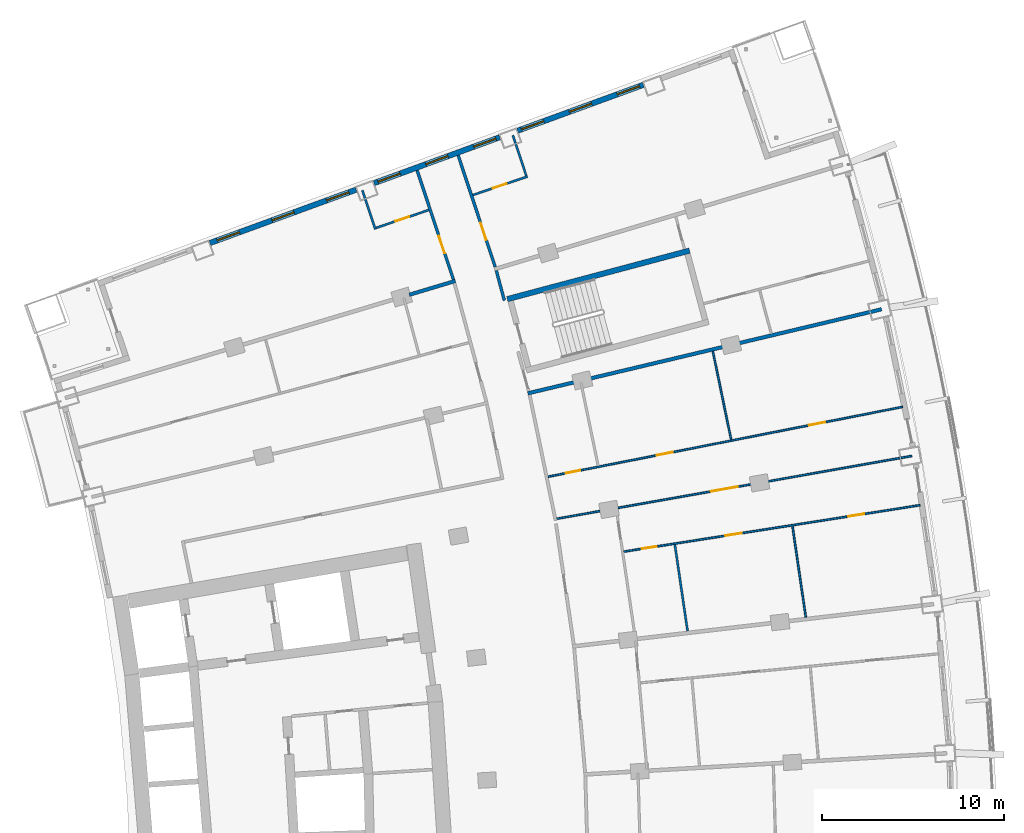
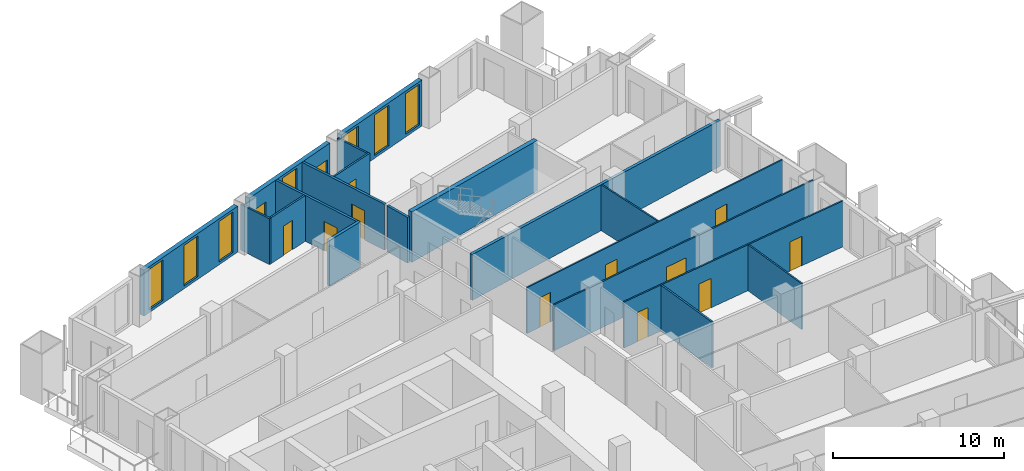
# One storey, part 20 of 25: 19 walls, 11 doors, 9 windows, 20 openings.
"""IFC4 building model written with IfcOpenShell, lengths in metres."""

from ifc_helpers import new_model, si_unit, direction, frame, frame_2d, origin, place, context, subcontext, project, spatial, rectangle, extrude, material, layer, layer_set, type_object, element, fill, save


model = new_model("IFC4")

# Units and contexts
model_context = context("Model", 3, precision=1e-05, world=origin(), true_north=direction((0.0, 1.0)))
body_context = subcontext(model_context, "Body", "Model", "MODEL_VIEW")
ifc_project = project(units=[si_unit("LENGTHUNIT", "METRE"), si_unit("AREAUNIT", "SQUARE_METRE"), si_unit("VOLUMEUNIT", "CUBIC_METRE"), si_unit("PLANEANGLEUNIT", "RADIAN"), si_unit("MASSUNIT", "GRAM", prefix="KILO")], contexts=[model_context])

# Site, building, storey
site_placement = place(None, origin())
site = spatial("IfcSite", under=ifc_project, at=site_placement, CompositionType="ELEMENT")
building_placement = place(site_placement, origin())
building = spatial("IfcBuilding", under=site, at=building_placement, Name="Alderwake Tower", CompositionType="ELEMENT")
storey_placement = place(building_placement, frame((0.0, 0.0, 107.60009765625)))
storey = spatial("IfcBuildingStorey", under=building, at=storey_placement, Name="L26", CompositionType="ELEMENT", Elevation=107.60009765625)

# Wall
ifc_material_1 = material(Name="Concrete C70/85", Category="concrete")
ifc_layer_1 = layer(ifc_material_1, 0.300048828125)
ifc_layer_set_1 = layer_set([ifc_layer_1], Name="Core wall stair enclosure 300 C70-85")
wall_type_1 = type_object("IfcWallType", Name="Core wall stair enclosure 300 C70-85", PredefinedType="SHEAR", material=ifc_layer_set_1)
wall_1_placement = place(storey_placement, frame((36.71142578125, 94.182373046875, 0.0), z_axis=(0.0, 0.0, 1.0), x_axis=(0.966309214305, 0.257383958996, 0.0)))
element("IfcWall", 1, at=wall_1_placement, inside=storey, type_object=wall_type_1, Name="Core wall CW.082", PredefinedType="SHEAR", context=body_context, shape_type="SweptSolid", body=[
    extrude(rectangle(XDim=10.360107421875, YDim=0.300048828125, at=frame_2d((5.18017578125, 0.0))), origin(), (0.0, 0.0, 1.0), 3.599853515625),
])

# Wall, opening, door
ifc_material_2 = material(Name="Gypsum board on metal studs, rated")
ifc_layer_2 = layer(ifc_material_2, 0.159912109375)
ifc_layer_set_2 = layer_set([ifc_layer_2], Name="Corridor wall 160")
wall_type_2 = type_object("IfcWallType", Name="Corridor wall 160", PredefinedType="PARTITIONING", material=ifc_layer_set_2)
wall_2_placement = place(storey_placement, frame((33.75146484375, 95.2548828125, 0.0), z_axis=(0.0, 0.0, 1.0), x_axis=(-0.315406156735, 0.948956772616, 0.0)))
wall_2 = element("IfcWall", 2, at=wall_2_placement, inside=storey, type_object=wall_type_2, Name="WL/L26/W21", PredefinedType="PARTITIONING", context=body_context, shape_type="SweptSolid", body=[
    extrude(rectangle(XDim=6.330078125, YDim=0.159912109375, at=frame_2d((3.1650390625, 0.0))), origin(), (0.0, 0.0, 1.0), 3.27978515625),
])
opening_1_placement = place(wall_2_placement, frame((1.529052734375, 0.0, 0.0)))
opening_1 = element("IfcOpeningElement", 3, at=opening_1_placement, cuts=wall_2, Name="Opening R07-U13.1", PredefinedType="OPENING", context=body_context, shape_type="SweptSolid", body=[
    extrude(rectangle(XDim=1.0, YDim=2.10009765625, at=frame_2d((0.5, 1.050048828125))), frame((0.0, 0.08984375, 0.0), z_axis=(0.0, -1.0, 0.0), x_axis=(1.0, 0.0, 0.0)), (0.0, 0.0, 1.0), 0.179931640625),
])
ifc_material_3 = material(Name="Solid timber leaf in steel frame", Category="steel")
door_type_1 = type_object("IfcDoorType", Name="Flat entrance door 1000 fire-rated", OperationType="SINGLE_SWING_LEFT", PredefinedType="DOOR", material=ifc_material_3)
door_1_placement = place(opening_1_placement, origin())
door_1 = element("IfcDoor", 4, at=door_1_placement, inside=storey, type_object=door_type_1, Name="DR/L26/U13.1", OperationType="SINGLE_SWING_LEFT", OverallHeight=2.10009765625, OverallWidth=1.0, PredefinedType="DOOR", context=body_context, shape_type="SweptSolid", body=[
    extrude(rectangle(XDim=1.0, YDim=2.10009765625, at=frame_2d((0.5, 1.050048828125))), frame((0.0, 0.02490234375, 0.0), z_axis=(0.0, -1.0, 0.0), x_axis=(1.0, 0.0, 0.0)), (0.0, 0.0, 1.0), 0.050048828125),
])
fill(opening_1, door_1)

wall_3_placement = place(storey_placement, frame((34.010986328125, 102.083984375, 0.0), z_axis=(0.0, 0.0, 1.0), x_axis=(0.315140606423, -0.949044992708, 0.0)))
wall_3 = element("IfcWall", 5, at=wall_3_placement, inside=storey, type_object=wall_type_2, Name="WL/L26/W28", PredefinedType="PARTITIONING", context=body_context, shape_type="SweptSolid", body=[
    extrude(rectangle(XDim=6.46875, YDim=0.159912109375, at=frame_2d((3.234375, 0.0))), origin(), (0.0, 0.0, 1.0), 3.27978515625),
])
opening_2_placement = place(wall_3_placement, frame((3.897705078125, 0.0, 0.0)))
opening_2 = element("IfcOpeningElement", 6, at=opening_2_placement, cuts=wall_3, Name="Opening R07-U04.1", PredefinedType="OPENING", context=body_context, shape_type="SweptSolid", body=[
    extrude(rectangle(XDim=1.0, YDim=2.10009765625, at=frame_2d((0.5, 1.050048828125))), frame((0.0, 0.08984375, 0.0), z_axis=(0.0, -1.0, 0.0), x_axis=(1.0, 0.0, 0.0)), (0.0, 0.0, 1.0), 0.179931640625),
])
door_2_placement = place(opening_2_placement, origin())
door_2 = element("IfcDoor", 7, at=door_2_placement, inside=storey, type_object=door_type_1, Name="DR/L26/U04.1", OperationType="SINGLE_SWING_LEFT", OverallHeight=2.10009765625, OverallWidth=1.0, PredefinedType="DOOR", context=body_context, shape_type="SweptSolid", body=[
    extrude(rectangle(XDim=1.0, YDim=2.10009765625, at=frame_2d((0.5, 1.050048828125))), frame((0.0, 0.02490234375, 0.0), z_axis=(0.0, -1.0, 0.0), x_axis=(1.0, 0.0, 0.0)), (0.0, 0.0, 1.0), 0.050048828125),
])
fill(opening_2, door_2)

# Wall
wall_4_placement = place(storey_placement, frame((36.549072265625, 94.110107421875, 0.0), z_axis=(0.0, 0.0, 1.0), x_axis=(-0.259813977097, 0.965658685719, 0.0)))
element("IfcWall", 8, at=wall_4_placement, inside=storey, type_object=wall_type_2, Name="WL/L26/W31", PredefinedType="PARTITIONING", context=body_context, shape_type="SweptSolid", body=[
    extrude(rectangle(XDim=1.70166015625, YDim=0.159912109375, at=frame_2d((0.850830078125, 0.0))), origin(), (0.0, 0.0, 1.0), 3.27978515625),
])

# Wall, openings, windows
ifc_material_4 = material(Name="Bronze metal cladding on lightweight framing")
ifc_layer_3 = layer(ifc_material_4, 0.300048828125)
ifc_layer_set_3 = layer_set([ifc_layer_3], Name="External wall EW2 bronze metal cladding")
wall_type_3 = type_object("IfcWallType", Name="External wall EW2 bronze metal cladding", PredefinedType="SOLIDWALL", material=ifc_layer_set_3)
wall_5_placement = place(storey_placement, frame((44.1845703125, 105.958251953125, 0.0), z_axis=(0.0, 0.0, 1.0), x_axis=(-0.939378390818, -0.342882252187, 0.0)))
wall_5 = element("IfcWall", 9, at=wall_5_placement, inside=storey, type_object=wall_type_3, Name="External wall 26", PredefinedType="SOLIDWALL", context=body_context, shape_type="SweptSolid", body=[
    extrude(rectangle(XDim=7.345947265625, YDim=0.300048828125, at=frame_2d((3.6728515625, 0.0))), origin(), (0.0, 0.0, 1.0), 3.27978515625),
])
opening_3_placement = place(wall_5_placement, frame((0.22314453125, 0.0, 0.199951171875)))
opening_3 = element("IfcOpeningElement", 10, at=opening_3_placement, cuts=wall_5, Name="Opening W1", PredefinedType="OPENING", context=body_context, shape_type="SweptSolid", body=[
    extrude(rectangle(XDim=1.300048828125, YDim=2.89990234375, at=frame_2d((0.64990234375, 1.449951171875))), frame((0.0, 0.159912109375, 0.0), z_axis=(0.0, -1.0, 0.0), x_axis=(1.0, 0.0, 0.0)), (0.0, 0.0, 1.0), 0.320068359375),
])
opening_4_placement = place(wall_5_placement, frame((3.023193359375, 0.0, 0.199951171875)))
opening_4 = element("IfcOpeningElement", 11, at=opening_4_placement, cuts=wall_5, Name="Opening W1", PredefinedType="OPENING", context=body_context, shape_type="SweptSolid", body=[
    extrude(rectangle(XDim=1.300048828125, YDim=2.89990234375, at=frame_2d((0.64990234375, 1.449951171875))), frame((0.0, 0.159912109375, 0.0), z_axis=(0.0, -1.0, 0.0), x_axis=(1.0, 0.0, 0.0)), (0.0, 0.0, 1.0), 0.320068359375),
])
opening_5_placement = place(wall_5_placement, frame((5.8232421875, 0.0, 0.199951171875)))
opening_5 = element("IfcOpeningElement", 12, at=opening_5_placement, cuts=wall_5, Name="Opening W1", PredefinedType="OPENING", context=body_context, shape_type="SweptSolid", body=[
    extrude(rectangle(XDim=1.300048828125, YDim=2.89990234375, at=frame_2d((0.64990234375, 1.449951171875))), frame((0.0, 0.159912109375, 0.0), z_axis=(0.0, -1.0, 0.0), x_axis=(1.0, 0.0, 0.0)), (0.0, 0.0, 1.0), 0.320068359375),
])
ifc_material_5 = material(Name="Bronze tinted glass in aluminium frame", Category="aluminium")
window_type_1 = type_object("IfcWindowType", Name="Window W1 tall fixed and vent", PartitioningType="DOUBLE_PANEL_VERTICAL", PredefinedType="WINDOW", material=ifc_material_5)
window_1_placement = place(opening_3_placement, origin())
window_1 = element("IfcWindow", 13, at=window_1_placement, inside=storey, type_object=window_type_1, Name="Window W1 tall fixed and vent", OverallHeight=2.89990234375, OverallWidth=1.300048828125, PartitioningType="DOUBLE_PANEL_VERTICAL", PredefinedType="WINDOW", context=body_context, shape_type="SweptSolid", body=[
    extrude(rectangle(XDim=1.300048828125, YDim=2.89990234375, at=frame_2d((0.64990234375, 1.449951171875))), frame((0.0, 0.030029296875, 0.0), z_axis=(0.0, -1.0, 0.0), x_axis=(1.0, 0.0, 0.0)), (0.0, 0.0, 1.0), 0.06005859375),
])
fill(opening_3, window_1)
window_2_placement = place(opening_4_placement, origin())
window_2 = element("IfcWindow", 14, at=window_2_placement, inside=storey, type_object=window_type_1, Name="Window W1 tall fixed and vent", OverallHeight=2.89990234375, OverallWidth=1.300048828125, PartitioningType="DOUBLE_PANEL_VERTICAL", PredefinedType="WINDOW", context=body_context, shape_type="SweptSolid", body=[
    extrude(rectangle(XDim=1.300048828125, YDim=2.89990234375, at=frame_2d((0.64990234375, 1.449951171875))), frame((0.0, 0.030029296875, 0.0), z_axis=(0.0, -1.0, 0.0), x_axis=(1.0, 0.0, 0.0)), (0.0, 0.0, 1.0), 0.06005859375),
])
fill(opening_4, window_2)
window_3_placement = place(opening_5_placement, origin())
window_3 = element("IfcWindow", 15, at=window_3_placement, inside=storey, type_object=window_type_1, Name="Window W1 tall fixed and vent", OverallHeight=2.89990234375, OverallWidth=1.300048828125, PartitioningType="DOUBLE_PANEL_VERTICAL", PredefinedType="WINDOW", context=body_context, shape_type="SweptSolid", body=[
    extrude(rectangle(XDim=1.300048828125, YDim=2.89990234375, at=frame_2d((0.64990234375, 1.449951171875))), frame((0.0, 0.030029296875, 0.0), z_axis=(0.0, -1.0, 0.0), x_axis=(1.0, 0.0, 0.0)), (0.0, 0.0, 1.0), 0.06005859375),
])
fill(opening_5, window_3)

wall_6_placement = place(storey_placement, frame((36.293701171875, 103.077880859375, 0.0), z_axis=(0.0, 0.0, 1.0), x_axis=(-0.939378390818, -0.342882252187, 0.0)))
wall_6 = element("IfcWall", 16, at=wall_6_placement, inside=storey, type_object=wall_type_3, Name="External wall 27", PredefinedType="SOLIDWALL", context=body_context, shape_type="SweptSolid", body=[
    extrude(rectangle(XDim=7.345947265625, YDim=0.300048828125, at=frame_2d((3.6728515625, 0.0))), origin(), (0.0, 0.0, 1.0), 3.27978515625),
])
opening_6_placement = place(wall_6_placement, frame((0.222900390625, 0.0, 1.0)))
opening_6 = element("IfcOpeningElement", 17, at=opening_6_placement, cuts=wall_6, Name="Opening W2", PredefinedType="OPENING", context=body_context, shape_type="SweptSolid", body=[
    extrude(rectangle(XDim=1.300048828125, YDim=1.199951171875, at=frame_2d((0.64990234375, 0.60009765625))), frame((0.0, 0.159912109375, 0.0), z_axis=(0.0, -1.0, 0.0), x_axis=(1.0, 0.0, 0.0)), (0.0, 0.0, 1.0), 0.320068359375),
])
opening_7_placement = place(wall_6_placement, frame((3.02294921875, 0.0, 0.199951171875)))
opening_7 = element("IfcOpeningElement", 18, at=opening_7_placement, cuts=wall_6, Name="Opening W1", PredefinedType="OPENING", context=body_context, shape_type="SweptSolid", body=[
    extrude(rectangle(XDim=1.300048828125, YDim=2.89990234375, at=frame_2d((0.64990234375, 1.449951171875))), frame((0.0, 0.159912109375, 0.0), z_axis=(0.0, -1.0, 0.0), x_axis=(1.0, 0.0, 0.0)), (0.0, 0.0, 1.0), 0.320068359375),
])
opening_8_placement = place(wall_6_placement, frame((5.822998046875, 0.0, 1.0)))
opening_8 = element("IfcOpeningElement", 19, at=opening_8_placement, cuts=wall_6, Name="Opening W2", PredefinedType="OPENING", context=body_context, shape_type="SweptSolid", body=[
    extrude(rectangle(XDim=1.300048828125, YDim=1.199951171875, at=frame_2d((0.64990234375, 0.60009765625))), frame((0.0, 0.159912109375, 0.0), z_axis=(0.0, -1.0, 0.0), x_axis=(1.0, 0.0, 0.0)), (0.0, 0.0, 1.0), 0.320068359375),
])
window_4_placement = place(opening_7_placement, origin())
window_4 = element("IfcWindow", 20, at=window_4_placement, inside=storey, type_object=window_type_1, Name="Window W1 tall fixed and vent", OverallHeight=2.89990234375, OverallWidth=1.300048828125, PartitioningType="DOUBLE_PANEL_VERTICAL", PredefinedType="WINDOW", context=body_context, shape_type="SweptSolid", body=[
    extrude(rectangle(XDim=1.300048828125, YDim=2.89990234375, at=frame_2d((0.64990234375, 1.449951171875))), frame((0.0, 0.030029296875, 0.0), z_axis=(0.0, -1.0, 0.0), x_axis=(1.0, 0.0, 0.0)), (0.0, 0.0, 1.0), 0.06005859375),
])
fill(opening_7, window_4)
ifc_material_6 = material(Name="Bronze tinted glass in aluminium frame", Category="aluminium")
window_type_2 = type_object("IfcWindowType", Name="Window W2 kitchen and bath", PartitioningType="SINGLE_PANEL", PredefinedType="WINDOW", material=ifc_material_6)
window_5_placement = place(opening_6_placement, origin())
window_5 = element("IfcWindow", 21, at=window_5_placement, inside=storey, type_object=window_type_2, Name="Window W2 kitchen and bath", OverallHeight=1.199951171875, OverallWidth=1.300048828125, PartitioningType="SINGLE_PANEL", PredefinedType="WINDOW", context=body_context, shape_type="SweptSolid", body=[
    extrude(rectangle(XDim=1.300048828125, YDim=1.199951171875, at=frame_2d((0.64990234375, 0.60009765625))), frame((0.0, 0.030029296875, 0.0), z_axis=(0.0, -1.0, 0.0), x_axis=(1.0, 0.0, 0.0)), (0.0, 0.0, 1.0), 0.06005859375),
])
fill(opening_6, window_5)
window_6_placement = place(opening_8_placement, origin())
window_6 = element("IfcWindow", 22, at=window_6_placement, inside=storey, type_object=window_type_2, Name="Window W2 kitchen and bath", OverallHeight=1.199951171875, OverallWidth=1.300048828125, PartitioningType="SINGLE_PANEL", PredefinedType="WINDOW", context=body_context, shape_type="SweptSolid", body=[
    extrude(rectangle(XDim=1.300048828125, YDim=1.199951171875, at=frame_2d((0.64990234375, 0.60009765625))), frame((0.0, 0.030029296875, 0.0), z_axis=(0.0, -1.0, 0.0), x_axis=(1.0, 0.0, 0.0)), (0.0, 0.0, 1.0), 0.06005859375),
])
fill(opening_8, window_6)

wall_7_placement = place(storey_placement, frame((28.402587890625, 100.197509765625, 0.0), z_axis=(0.0, 0.0, 1.0), x_axis=(-0.939364770023, -0.342919566137, 0.0)))
wall_7 = element("IfcWall", 23, at=wall_7_placement, inside=storey, type_object=wall_type_3, Name="External wall 28", PredefinedType="SOLIDWALL", context=body_context, shape_type="SweptSolid", body=[
    extrude(rectangle(XDim=8.54541015625, YDim=0.300048828125, at=frame_2d((4.272705078125, 0.0))), origin(), (0.0, 0.0, 1.0), 3.27978515625),
])
opening_9_placement = place(wall_7_placement, frame((0.4228515625, 0.0, 0.199951171875)))
opening_9 = element("IfcOpeningElement", 24, at=opening_9_placement, cuts=wall_7, Name="Opening W1", PredefinedType="OPENING", context=body_context, shape_type="SweptSolid", body=[
    extrude(rectangle(XDim=1.300048828125, YDim=2.89990234375, at=frame_2d((0.64990234375, 1.449951171875))), frame((0.0, 0.159912109375, 0.0), z_axis=(0.0, -1.0, 0.0), x_axis=(1.0, 0.0, 0.0)), (0.0, 0.0, 1.0), 0.320068359375),
])
opening_10_placement = place(wall_7_placement, frame((3.622802734375, 0.0, 0.199951171875)))
opening_10 = element("IfcOpeningElement", 25, at=opening_10_placement, cuts=wall_7, Name="Opening W1", PredefinedType="OPENING", context=body_context, shape_type="SweptSolid", body=[
    extrude(rectangle(XDim=1.300048828125, YDim=2.89990234375, at=frame_2d((0.64990234375, 1.449951171875))), frame((0.0, 0.159912109375, 0.0), z_axis=(0.0, -1.0, 0.0), x_axis=(1.0, 0.0, 0.0)), (0.0, 0.0, 1.0), 0.320068359375),
])
opening_11_placement = place(wall_7_placement, frame((6.822998046875, 0.0, 0.199951171875)))
opening_11 = element("IfcOpeningElement", 26, at=opening_11_placement, cuts=wall_7, Name="Opening W1", PredefinedType="OPENING", context=body_context, shape_type="SweptSolid", body=[
    extrude(rectangle(XDim=1.300048828125, YDim=2.89990234375, at=frame_2d((0.64990234375, 1.449951171875))), frame((0.0, 0.159912109375, 0.0), z_axis=(0.0, -1.0, 0.0), x_axis=(1.0, 0.0, 0.0)), (0.0, 0.0, 1.0), 0.320068359375),
])
window_7_placement = place(opening_9_placement, origin())
window_7 = element("IfcWindow", 27, at=window_7_placement, inside=storey, type_object=window_type_1, Name="Window W1 tall fixed and vent", OverallHeight=2.89990234375, OverallWidth=1.300048828125, PartitioningType="DOUBLE_PANEL_VERTICAL", PredefinedType="WINDOW", context=body_context, shape_type="SweptSolid", body=[
    extrude(rectangle(XDim=1.300048828125, YDim=2.89990234375, at=frame_2d((0.64990234375, 1.449951171875))), frame((0.0, 0.030029296875, 0.0), z_axis=(0.0, -1.0, 0.0), x_axis=(1.0, 0.0, 0.0)), (0.0, 0.0, 1.0), 0.06005859375),
])
fill(opening_9, window_7)
window_8_placement = place(opening_10_placement, origin())
window_8 = element("IfcWindow", 28, at=window_8_placement, inside=storey, type_object=window_type_1, Name="Window W1 tall fixed and vent", OverallHeight=2.89990234375, OverallWidth=1.300048828125, PartitioningType="DOUBLE_PANEL_VERTICAL", PredefinedType="WINDOW", context=body_context, shape_type="SweptSolid", body=[
    extrude(rectangle(XDim=1.300048828125, YDim=2.89990234375, at=frame_2d((0.64990234375, 1.449951171875))), frame((0.0, 0.030029296875, 0.0), z_axis=(0.0, -1.0, 0.0), x_axis=(1.0, 0.0, 0.0)), (0.0, 0.0, 1.0), 0.06005859375),
])
fill(opening_10, window_8)
window_9_placement = place(opening_11_placement, origin())
window_9 = element("IfcWindow", 29, at=window_9_placement, inside=storey, type_object=window_type_1, Name="Window W1 tall fixed and vent", OverallHeight=2.89990234375, OverallWidth=1.300048828125, PartitioningType="DOUBLE_PANEL_VERTICAL", PredefinedType="WINDOW", context=body_context, shape_type="SweptSolid", body=[
    extrude(rectangle(XDim=1.300048828125, YDim=2.89990234375, at=frame_2d((0.64990234375, 1.449951171875))), frame((0.0, 0.030029296875, 0.0), z_axis=(0.0, -1.0, 0.0), x_axis=(1.0, 0.0, 0.0)), (0.0, 0.0, 1.0), 0.06005859375),
])
fill(opening_11, window_9)

# Walls
ifc_material_7 = material(Name="Dense block masonry wall", Category="masonry")
ifc_layer_4 = layer(ifc_material_7, 0.199951171875)
ifc_layer_set_4 = layer_set([ifc_layer_4], Name="Party wall 200")
wall_type_4 = type_object("IfcWallType", Name="Party wall 200", PredefinedType="SOLIDWALL", material=ifc_layer_set_4)
wall_8_placement = place(storey_placement, frame((33.859619140625, 95.18310546875, 0.0), z_axis=(0.0, 0.0, 1.0), x_axis=(-0.957762803886, -0.287559405153, 0.0)))
element("IfcWall", 30, at=wall_8_placement, inside=storey, type_object=wall_type_4, Name="WL/L26/W04", PredefinedType="SOLIDWALL", context=body_context, shape_type="SweptSolid", body=[
    extrude(rectangle(XDim=2.647216796875, YDim=0.199951171875, at=frame_2d((1.32373046875, 0.0))), origin(), (0.0, 0.0, 1.0), 3.27978515625),
])
wall_9_placement = place(storey_placement, frame((37.839111328125, 89.006591796875, 0.0), z_axis=(0.0, 0.0, 1.0), x_axis=(0.972923052294, 0.23112925889, 0.0)))
element("IfcWall", 31, at=wall_9_placement, inside=storey, type_object=wall_type_4, Name="WL/L26/W07", PredefinedType="SOLIDWALL", context=body_context, shape_type="SweptSolid", body=[
    extrude(rectangle(XDim=19.977783203125, YDim=0.199951171875, at=frame_2d((9.98876953125, 0.0))), origin(), (0.0, 0.0, 1.0), 3.27978515625),
])

# Wall, openings, doors
ifc_material_8 = material(Name="Gypsum board on metal studs")
ifc_layer_5 = layer(ifc_material_8, 0.10009765625)
ifc_layer_set_5 = layer_set([ifc_layer_5], Name="Unit partition 100")
wall_type_5 = type_object("IfcWallType", Name="Unit partition 100", PredefinedType="PARTITIONING", material=ifc_layer_set_5)
wall_10_placement = place(storey_placement, frame((38.949462890625, 84.423583984375, 0.0), z_axis=(0.0, 0.0, 1.0), x_axis=(0.981139690944, 0.193300043595, 0.0)))
wall_10 = element("IfcWall", 32, at=wall_10_placement, inside=storey, type_object=wall_type_5, Name="WL/L26/W72", PredefinedType="PARTITIONING", context=body_context, shape_type="SweptSolid", body=[
    extrude(rectangle(XDim=19.862060546875, YDim=0.10009765625, at=frame_2d((9.93115234375, 0.0))), origin(), (0.0, 0.0, 1.0), 3.27978515625),
])
opening_12_placement = place(wall_10_placement, frame((6.093017578125, 0.0, 0.0)))
opening_12 = element("IfcOpeningElement", 33, at=opening_12_placement, cuts=wall_10, Name="Opening R07-U09.6", PredefinedType="OPENING", context=body_context, shape_type="SweptSolid", body=[
    extrude(rectangle(XDim=0.89990234375, YDim=2.10009765625, at=frame_2d((0.449951171875, 1.050048828125))), frame((0.0, 0.06005859375, 0.0), z_axis=(0.0, -1.0, 0.0), x_axis=(1.0, 0.0, 0.0)), (0.0, 0.0, 1.0), 0.1201171875),
])
opening_13_placement = place(wall_10_placement, frame((1.009521484375, 0.0, 0.0)))
opening_13 = element("IfcOpeningElement", 34, at=opening_13_placement, cuts=wall_10, Name="Opening R07-U09.7", PredefinedType="OPENING", context=body_context, shape_type="SweptSolid", body=[
    extrude(rectangle(XDim=0.800048828125, YDim=2.10009765625, at=frame_2d((0.39990234375, 1.050048828125))), frame((0.0, 0.06005859375, 0.0), z_axis=(0.0, -1.0, 0.0), x_axis=(1.0, 0.0, 0.0)), (0.0, 0.0, 1.0), 0.1201171875),
])
opening_14_placement = place(wall_10_placement, frame((14.614501953125, 0.0, 0.0)))
opening_14 = element("IfcOpeningElement", 35, at=opening_14_placement, cuts=wall_10, Name="Opening R07-U09.8", PredefinedType="OPENING", context=body_context, shape_type="SweptSolid", body=[
    extrude(rectangle(XDim=0.89990234375, YDim=2.10009765625, at=frame_2d((0.449951171875, 1.050048828125))), frame((0.0, 0.06005859375, 0.0), z_axis=(0.0, -1.0, 0.0), x_axis=(1.0, 0.0, 0.0)), (0.0, 0.0, 1.0), 0.1201171875),
])
ifc_material_9 = material(Name="Painted timber leaf", Category="wood")
door_type_2 = type_object("IfcDoorType", Name="Bathroom door 800", OperationType="SINGLE_SWING_LEFT", PredefinedType="DOOR", material=ifc_material_9)
door_3_placement = place(opening_13_placement, origin())
door_3 = element("IfcDoor", 36, at=door_3_placement, inside=storey, type_object=door_type_2, Name="DR/L26/U09.7", OperationType="SINGLE_SWING_LEFT", OverallHeight=2.10009765625, OverallWidth=0.800048828125, PredefinedType="DOOR", context=body_context, shape_type="SweptSolid", body=[
    extrude(rectangle(XDim=0.800048828125, YDim=2.10009765625, at=frame_2d((0.39990234375, 1.050048828125))), frame((0.0, 0.02490234375, 0.0), z_axis=(0.0, -1.0, 0.0), x_axis=(1.0, 0.0, 0.0)), (0.0, 0.0, 1.0), 0.050048828125),
])
fill(opening_13, door_3)
ifc_material_10 = material(Name="Painted timber leaf", Category="wood")
door_type_3 = type_object("IfcDoorType", Name="Room door 900", OperationType="SINGLE_SWING_LEFT", PredefinedType="DOOR", material=ifc_material_10)
door_4_placement = place(opening_12_placement, origin())
door_4 = element("IfcDoor", 37, at=door_4_placement, inside=storey, type_object=door_type_3, Name="DR/L26/U09.6", OperationType="SINGLE_SWING_LEFT", OverallHeight=2.10009765625, OverallWidth=0.89990234375, PredefinedType="DOOR", context=body_context, shape_type="SweptSolid", body=[
    extrude(rectangle(XDim=0.89990234375, YDim=2.10009765625, at=frame_2d((0.449951171875, 1.050048828125))), frame((0.0, 0.02490234375, 0.0), z_axis=(0.0, -1.0, 0.0), x_axis=(1.0, 0.0, 0.0)), (0.0, 0.0, 1.0), 0.050048828125),
])
fill(opening_12, door_4)
door_5_placement = place(opening_14_placement, origin())
door_5 = element("IfcDoor", 38, at=door_5_placement, inside=storey, type_object=door_type_3, Name="DR/L26/U09.8", OperationType="SINGLE_SWING_LEFT", OverallHeight=2.10009765625, OverallWidth=0.89990234375, PredefinedType="DOOR", context=body_context, shape_type="SweptSolid", body=[
    extrude(rectangle(XDim=0.89990234375, YDim=2.10009765625, at=frame_2d((0.449951171875, 1.050048828125))), frame((0.0, 0.02490234375, 0.0), z_axis=(0.0, -1.0, 0.0), x_axis=(1.0, 0.0, 0.0)), (0.0, 0.0, 1.0), 0.050048828125),
])
fill(opening_14, door_5)

# Wall, opening, door
wall_11_placement = place(storey_placement, frame((39.4267578125, 82.114990234375, 0.0), z_axis=(0.0, 0.0, 1.0), x_axis=(0.984725717962, 0.174112780649, 0.0)))
wall_11 = element("IfcWall", 39, at=wall_11_placement, inside=storey, type_object=wall_type_5, Name="WL/L26/W73", PredefinedType="PARTITIONING", context=body_context, shape_type="SweptSolid", body=[
    extrude(rectangle(XDim=19.820068359375, YDim=0.10009765625, at=frame_2d((9.91015625, 0.0))), origin(), (0.0, 0.0, 1.0), 3.27978515625),
])
opening_15_placement = place(wall_11_placement, frame((8.6064453125, 0.0, 0.0)))
opening_15 = element("IfcOpeningElement", 40, at=opening_15_placement, cuts=wall_11, Name="Opening R07-U09.9", PredefinedType="OPENING", context=body_context, shape_type="SweptSolid", body=[
    extrude(rectangle(XDim=1.5, YDim=2.10009765625, at=frame_2d((0.75, 1.050048828125))), frame((0.0, 0.06005859375, 0.0), z_axis=(0.0, -1.0, 0.0), x_axis=(1.0, 0.0, 0.0)), (0.0, 0.0, 1.0), 0.1201171875),
])
ifc_material_11 = material(Name="Painted timber leaves", Category="wood")
door_type_4 = type_object("IfcDoorType", Name="Double leaf door 1500", OperationType="DOUBLE_DOOR_SINGLE_SWING", PredefinedType="DOOR", material=ifc_material_11)
door_6_placement = place(opening_15_placement, origin())
door_6 = element("IfcDoor", 41, at=door_6_placement, inside=storey, type_object=door_type_4, Name="DR/L26/U09.9", OperationType="DOUBLE_DOOR_SINGLE_SWING", OverallHeight=2.10009765625, OverallWidth=1.5, PredefinedType="DOOR", context=body_context, shape_type="SweptSolid", body=[
    extrude(rectangle(XDim=1.5, YDim=2.10009765625, at=frame_2d((0.75, 1.050048828125))), frame((0.0, 0.02490234375, 0.0), z_axis=(0.0, -1.0, 0.0), x_axis=(1.0, 0.0, 0.0)), (0.0, 0.0, 1.0), 0.050048828125),
])
fill(opening_15, door_6)

# Wall, openings, doors
wall_12_placement = place(storey_placement, frame((59.39404296875, 82.860107421875, 0.0), z_axis=(0.0, 0.0, 1.0), x_axis=(-0.9879355272, -0.15486572925, 0.0)))
wall_12 = element("IfcWall", 42, at=wall_12_placement, inside=storey, type_object=wall_type_5, Name="WL/L26/W76", PredefinedType="PARTITIONING", context=body_context, shape_type="SweptSolid", body=[
    extrude(rectangle(XDim=16.483642578125, YDim=0.10009765625, at=frame_2d((8.24169921875, 0.0))), origin(), (0.0, 0.0, 1.0), 3.27978515625),
])
opening_16_placement = place(wall_12_placement, frame((9.92626953125, 0.0, 0.0)))
opening_16 = element("IfcOpeningElement", 43, at=opening_16_placement, cuts=wall_12, Name="Opening R07-U09.1", PredefinedType="OPENING", context=body_context, shape_type="SweptSolid", body=[
    extrude(rectangle(XDim=0.89990234375, YDim=2.10009765625, at=frame_2d((0.449951171875, 1.050048828125))), frame((0.0, 0.06005859375, 0.0), z_axis=(0.0, -1.0, 0.0), x_axis=(1.0, 0.0, 0.0)), (0.0, 0.0, 1.0), 0.1201171875),
])
opening_17_placement = place(wall_12_placement, frame((14.664794921875, 0.0, 0.0)))
opening_17 = element("IfcOpeningElement", 44, at=opening_17_placement, cuts=wall_12, Name="Opening R07-U09.4", PredefinedType="OPENING", context=body_context, shape_type="SweptSolid", body=[
    extrude(rectangle(XDim=0.800048828125, YDim=2.10009765625, at=frame_2d((0.39990234375, 1.050048828125))), frame((0.0, 0.06005859375, 0.0), z_axis=(0.0, -1.0, 0.0), x_axis=(1.0, 0.0, 0.0)), (0.0, 0.0, 1.0), 0.1201171875),
])
opening_18_placement = place(wall_12_placement, frame((3.10400390625, 0.0, 0.0)))
opening_18 = element("IfcOpeningElement", 45, at=opening_18_placement, cuts=wall_12, Name="Opening R07-U09.5", PredefinedType="OPENING", context=body_context, shape_type="SweptSolid", body=[
    extrude(rectangle(XDim=0.89990234375, YDim=2.10009765625, at=frame_2d((0.449951171875, 1.050048828125))), frame((0.0, 0.06005859375, 0.0), z_axis=(0.0, -1.0, 0.0), x_axis=(1.0, 0.0, 0.0)), (0.0, 0.0, 1.0), 0.1201171875),
])
door_7_placement = place(opening_17_placement, origin())
door_7 = element("IfcDoor", 46, at=door_7_placement, inside=storey, type_object=door_type_2, Name="DR/L26/U09.4", OperationType="SINGLE_SWING_LEFT", OverallHeight=2.10009765625, OverallWidth=0.800048828125, PredefinedType="DOOR", context=body_context, shape_type="SweptSolid", body=[
    extrude(rectangle(XDim=0.800048828125, YDim=2.10009765625, at=frame_2d((0.39990234375, 1.050048828125))), frame((0.0, 0.02490234375, 0.0), z_axis=(0.0, -1.0, 0.0), x_axis=(1.0, 0.0, 0.0)), (0.0, 0.0, 1.0), 0.050048828125),
])
fill(opening_17, door_7)
door_8_placement = place(opening_16_placement, origin())
door_8 = element("IfcDoor", 47, at=door_8_placement, inside=storey, type_object=door_type_3, Name="DR/L26/U09.1", OperationType="SINGLE_SWING_LEFT", OverallHeight=2.10009765625, OverallWidth=0.89990234375, PredefinedType="DOOR", context=body_context, shape_type="SweptSolid", body=[
    extrude(rectangle(XDim=0.89990234375, YDim=2.10009765625, at=frame_2d((0.449951171875, 1.050048828125))), frame((0.0, 0.02490234375, 0.0), z_axis=(0.0, -1.0, 0.0), x_axis=(1.0, 0.0, 0.0)), (0.0, 0.0, 1.0), 0.050048828125),
])
fill(opening_16, door_8)
door_9_placement = place(opening_18_placement, origin())
door_9 = element("IfcDoor", 48, at=door_9_placement, inside=storey, type_object=door_type_3, Name="DR/L26/U09.5", OperationType="SINGLE_SWING_LEFT", OverallHeight=2.10009765625, OverallWidth=0.89990234375, PredefinedType="DOOR", context=body_context, shape_type="SweptSolid", body=[
    extrude(rectangle(XDim=0.89990234375, YDim=2.10009765625, at=frame_2d((0.449951171875, 1.050048828125))), frame((0.0, 0.02490234375, 0.0), z_axis=(0.0, -1.0, 0.0), x_axis=(1.0, 0.0, 0.0)), (0.0, 0.0, 1.0), 0.050048828125),
])
fill(opening_18, door_9)

# Walls
wall_13_placement = place(storey_placement, frame((49.0126953125, 86.4580078125, 0.0), z_axis=(0.0, 0.0, 1.0), x_axis=(-0.202950413488, 0.979189016312, 0.0)))
element("IfcWall", 49, at=wall_13_placement, inside=storey, type_object=wall_type_5, Name="WL/L26/W83", PredefinedType="PARTITIONING", context=body_context, shape_type="SweptSolid", body=[
    extrude(rectangle(XDim=4.96337890625, YDim=0.10009765625, at=frame_2d((2.481689453125, 0.0))), origin(), (0.0, 0.0, 1.0), 3.27978515625),
])
wall_14_placement = place(storey_placement, frame((53.115478515625, 76.700927734375, 0.0), z_axis=(0.0, 0.0, 1.0), x_axis=(-0.145026054314, 0.989427836464, 0.0)))
element("IfcWall", 50, at=wall_14_placement, inside=storey, type_object=wall_type_5, Name="WL/L26/W88", PredefinedType="PARTITIONING", context=body_context, shape_type="SweptSolid", body=[
    extrude(rectangle(XDim=5.06201171875, YDim=0.10009765625, at=frame_2d((2.531005859375, 0.0))), origin(), (0.0, 0.0, 1.0), 3.27978515625),
])
ifc_material_12 = material(Name="Moisture resistant gypsum board on metal studs")
ifc_layer_6 = layer(ifc_material_12, 0.1201171875)
ifc_layer_set_6 = layer_set([ifc_layer_6], Name="Wet room partition 120")
wall_type_6 = type_object("IfcWallType", Name="Wet room partition 120", PredefinedType="PARTITIONING", material=ifc_layer_set_6)
wall_15_placement = place(storey_placement, frame((28.7490234375, 100.1640625, 0.0), z_axis=(0.0, 0.0, 1.0), x_axis=(0.315416394236, -0.948953369901, 0.0)))
element("IfcWall", 51, at=wall_15_placement, inside=storey, type_object=wall_type_6, Name="WL/L26/W44", PredefinedType="PARTITIONING", context=body_context, shape_type="SweptSolid", body=[
    extrude(rectangle(XDim=2.257080078125, YDim=0.1201171875, at=frame_2d((1.12841796875, 0.0))), origin(), (0.0, 0.0, 1.0), 3.27978515625),
])

# Wall, opening, door
wall_16_placement = place(storey_placement, frame((29.498779296875, 98.09814453125, 0.0), z_axis=(0.0, 0.0, 1.0), x_axis=(0.947164130145, 0.320749295505, 0.0)))
wall_16 = element("IfcWall", 52, at=wall_16_placement, inside=storey, type_object=wall_type_6, Name="WL/L26/W46", PredefinedType="PARTITIONING", context=body_context, shape_type="SweptSolid", body=[
    extrude(rectangle(XDim=3.05908203125, YDim=0.1201171875, at=frame_2d((1.529541015625, 0.0))), origin(), (0.0, 0.0, 1.0), 3.27978515625),
])
opening_19_placement = place(wall_16_placement, frame((1.12939453125, 0.0, 0.0)))
opening_19 = element("IfcOpeningElement", 53, at=opening_19_placement, cuts=wall_16, Name="Opening R07-U13.2", PredefinedType="OPENING", context=body_context, shape_type="SweptSolid", body=[
    extrude(rectangle(XDim=0.800048828125, YDim=2.10009765625, at=frame_2d((0.39990234375, 1.050048828125))), frame((0.0, 0.070068359375, 0.0), z_axis=(0.0, -1.0, 0.0), x_axis=(1.0, 0.0, 0.0)), (0.0, 0.0, 1.0), 0.14013671875),
])
door_10_placement = place(opening_19_placement, origin())
door_10 = element("IfcDoor", 54, at=door_10_placement, inside=storey, type_object=door_type_2, Name="DR/L26/U13.2", OperationType="SINGLE_SWING_LEFT", OverallHeight=2.10009765625, OverallWidth=0.800048828125, PredefinedType="DOOR", context=body_context, shape_type="SweptSolid", body=[
    extrude(rectangle(XDim=0.800048828125, YDim=2.10009765625, at=frame_2d((0.39990234375, 1.050048828125))), frame((0.0, 0.02490234375, 0.0), z_axis=(0.0, -1.0, 0.0), x_axis=(1.0, 0.0, 0.0)), (0.0, 0.0, 1.0), 0.050048828125),
])
fill(opening_19, door_10)

wall_17_placement = place(storey_placement, frame((34.81884765625, 99.901611328125, 0.0), z_axis=(0.0, 0.0, 1.0), x_axis=(0.947175058373, 0.320717022928, 0.0)))
wall_17 = element("IfcWall", 55, at=wall_17_placement, inside=storey, type_object=wall_type_6, Name="WL/L26/W50", PredefinedType="PARTITIONING", context=body_context, shape_type="SweptSolid", body=[
    extrude(rectangle(XDim=3.178955078125, YDim=0.1201171875, at=frame_2d((1.58935546875, 0.0))), origin(), (0.0, 0.0, 1.0), 3.27978515625),
])
opening_20_placement = place(wall_17_placement, frame((1.15966796875, 0.0, 0.0)))
opening_20 = element("IfcOpeningElement", 56, at=opening_20_placement, cuts=wall_17, Name="Opening R07-U04.2", PredefinedType="OPENING", context=body_context, shape_type="SweptSolid", body=[
    extrude(rectangle(XDim=0.800048828125, YDim=2.10009765625, at=frame_2d((0.39990234375, 1.050048828125))), frame((0.0, 0.070068359375, 0.0), z_axis=(0.0, -1.0, 0.0), x_axis=(1.0, 0.0, 0.0)), (0.0, 0.0, 1.0), 0.14013671875),
])
door_11_placement = place(opening_20_placement, origin())
door_11 = element("IfcDoor", 57, at=door_11_placement, inside=storey, type_object=door_type_2, Name="DR/L26/U04.2", OperationType="SINGLE_SWING_LEFT", OverallHeight=2.10009765625, OverallWidth=0.800048828125, PredefinedType="DOOR", context=body_context, shape_type="SweptSolid", body=[
    extrude(rectangle(XDim=0.800048828125, YDim=2.10009765625, at=frame_2d((0.39990234375, 1.050048828125))), frame((0.0, 0.02490234375, 0.0), z_axis=(0.0, -1.0, 0.0), x_axis=(1.0, 0.0, 0.0)), (0.0, 0.0, 1.0), 0.050048828125),
])
fill(opening_20, door_11)

# Walls
wall_18_placement = place(storey_placement, frame((37.754150390625, 100.958984375, 0.0), z_axis=(0.0, 0.0, 1.0), x_axis=(-0.314726191852, 0.949182503085, 0.0)))
element("IfcWall", 58, at=wall_18_placement, inside=storey, type_object=wall_type_6, Name="WL/L26/W53", PredefinedType="PARTITIONING", context=body_context, shape_type="SweptSolid", body=[
    extrude(rectangle(XDim=2.341796875, YDim=0.1201171875, at=frame_2d((1.1708984375, 0.0))), origin(), (0.0, 0.0, 1.0), 3.27978515625),
])
wall_19_placement = place(storey_placement, frame((46.617431640625, 75.93896484375, 0.0), z_axis=(0.0, 0.0, 1.0), x_axis=(-0.145238137818, 0.989396726962, 0.0)))
element("IfcWall", 59, at=wall_19_placement, inside=storey, type_object=wall_type_6, Name="WL/L26/W64", PredefinedType="PARTITIONING", context=body_context, shape_type="SweptSolid", body=[
    extrude(rectangle(XDim=4.8076171875, YDim=0.1201171875, at=frame_2d((2.40380859375, 0.0))), origin(), (0.0, 0.0, 1.0), 3.27978515625),
])

save(model, "model.ifc")
